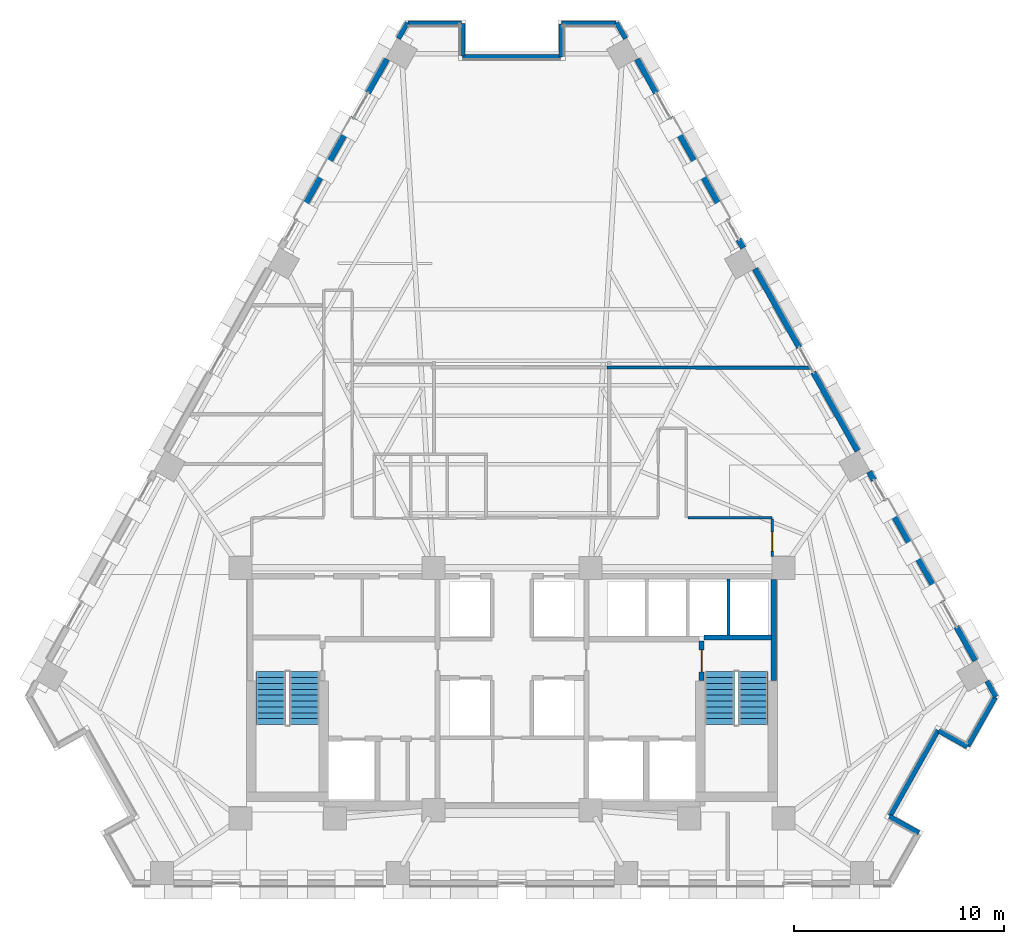
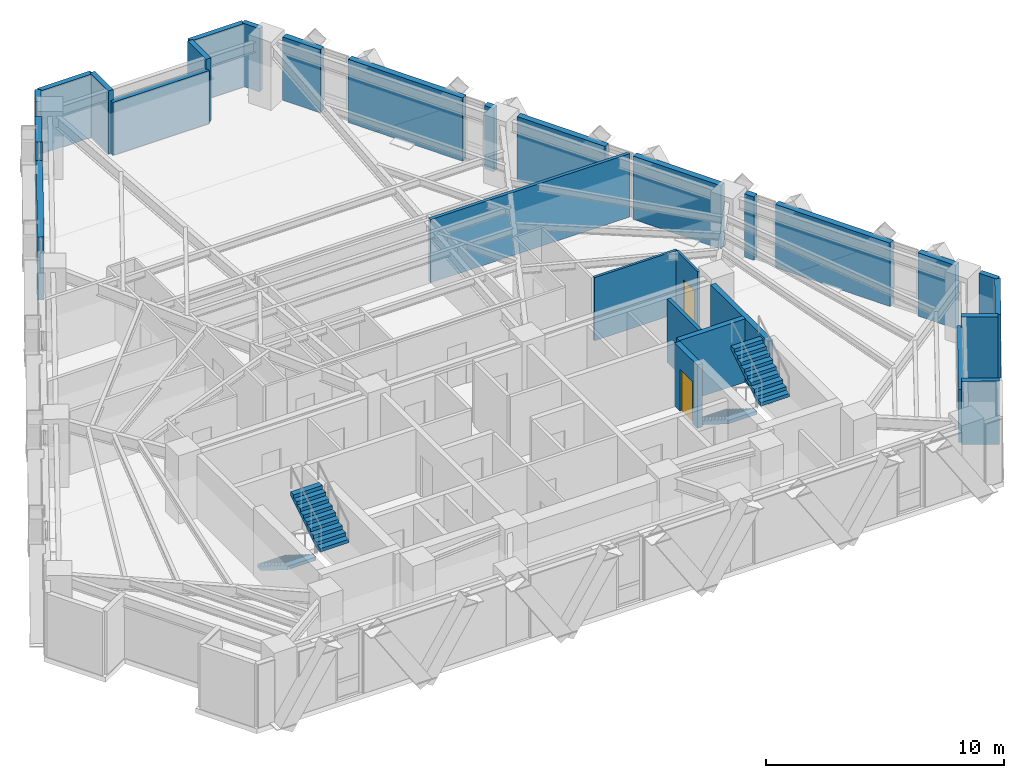
# One storey, part 9 of 13: 29 walls, 4 stair flights, 2 doors, 2 openings, 2 elements without a shape of their own.
"""IFC4 building model written with IfcOpenShell, lengths in metres."""

from ifc_helpers import new_model, si_unit, direction, frame, frame_2d, origin, place, context, subcontext, project, spatial, polyline, rectangle, outline, extrude, material, layer, layer_set, type_object, element, fill, aggregate, save


model = new_model("IFC4")

# Units and contexts
model_context = context("Model", 3, precision=1e-05, world=origin(), true_north=direction((0.0, 1.0)))
body_context = subcontext(model_context, "Body", "Model", "MODEL_VIEW")
ifc_project = project(units=[si_unit("LENGTHUNIT", "METRE"), si_unit("AREAUNIT", "SQUARE_METRE"), si_unit("VOLUMEUNIT", "CUBIC_METRE"), si_unit("PLANEANGLEUNIT", "RADIAN"), si_unit("MASSUNIT", "GRAM", prefix="KILO")], contexts=[model_context])

# Site, building, storey
site_placement = place(None, origin())
site = spatial("IfcSite", under=ifc_project, at=site_placement, CompositionType="ELEMENT")
building_placement = place(site_placement, origin())
building = spatial("IfcBuilding", under=site, at=building_placement, Name="Quenlor Broadcast Tower", CompositionType="ELEMENT")
storey_placement = place(building_placement, frame((0.0, 0.0, 119.5)))
storey = spatial("IfcBuildingStorey", under=building, at=storey_placement, Name="L32", CompositionType="ELEMENT", Elevation=119.5)

# Wall, opening, door
ifc_material_1 = material(Name="Concrete C40/50", Category="concrete")
ifc_layer_1 = layer(ifc_material_1, 0.25)
ifc_layer_set_1 = layer_set([ifc_layer_1], Name="Fire Rated Concrete C40/50 Core Wall 250")
wall_type_1 = type_object("IfcWallType", Name="Fire Rated Concrete C40/50 Core Wall 250", PredefinedType="PARTITIONING", material=ifc_layer_set_1)
wall_1_placement = place(storey_placement, frame((9.0400390625, -10.179931640625, 0.0), z_axis=(0.0, 0.0, 1.0), x_axis=(0.0, 1.0, 0.0)))
wall_1 = element("IfcWall", 1, at=wall_1_placement, inside=storey, type_object=wall_type_1, Name="L32 Interior Wall CW-ST2-DR", PredefinedType="PARTITIONING", context=body_context, shape_type="SweptSolid", body=[
    extrude(rectangle(XDim=1.89990234375, YDim=0.25, at=frame_2d((0.949951171875, 0.0))), origin(), (0.0, 0.0, 1.0), 3.25),
])
opening_1_placement = place(wall_1_placement, frame((0.419921875, 0.0, 0.0)))
opening_1 = element("IfcOpeningElement", 2, at=opening_1_placement, cuts=wall_1, Name="Opening FD-1", PredefinedType="OPENING", context=body_context, shape_type="SweptSolid", body=[
    extrude(rectangle(XDim=1.050048828125, YDim=2.14990234375, at=frame_2d((0.52490234375, 1.074951171875))), frame((0.0, 0.135009765625, 0.0), z_axis=(0.0, -1.0, 0.0), x_axis=(1.0, 0.0, 0.0)), (0.0, 0.0, 1.0), 0.27001953125),
])
ifc_material_2 = material(Name="Fire Rated Steel Door Leaf", Category="steel")
door_type_1 = type_object("IfcDoorType", Name="Fire Isolated Stair Door 1050x2150", OperationType="NOTDEFINED", PredefinedType="DOOR", material=ifc_material_2)
door_1_placement = place(opening_1_placement, origin())
door_1 = element("IfcDoor", 3, at=door_1_placement, inside=storey, type_object=door_type_1, Name="L32 Door DR-ST2", OperationType="SINGLE_SWING_RIGHT", OverallHeight=2.14990234375, OverallWidth=1.050048828125, PredefinedType="DOOR", context=body_context, shape_type="SweptSolid", body=[
    extrude(rectangle(XDim=1.050048828125, YDim=2.14990234375, at=frame_2d((0.52490234375, 1.074951171875))), frame((0.0, 0.02490234375, 0.0), z_axis=(0.0, -1.0, 0.0), x_axis=(1.0, 0.0, 0.0)), (0.0, 0.0, 1.0), 0.050048828125),
])
fill(opening_1, door_1)

# Walls
wall_2_placement = place(storey_placement, frame((9.159912109375, -8.1201171875, 0.0), z_axis=(0.0, 0.0, 1.0), x_axis=(1.0, 0.0, 0.0)))
element("IfcWall", 4, at=wall_2_placement, inside=storey, type_object=wall_type_1, Name="L32 Interior Wall CW-ST2-N", PredefinedType="PARTITIONING", context=body_context, shape_type="SweptSolid", body=[
    extrude(rectangle(XDim=3.219970703125, YDim=0.25, at=frame_2d((1.60986328125, 0.0))), origin(), (0.0, 0.0, 1.0), 3.25),
])
wall_3_placement = place(storey_placement, frame((12.47998046875, -10.179931640625, 0.0), z_axis=(0.0, 0.0, 1.0), x_axis=(0.0, 1.0, 0.0)))
element("IfcWall", 5, at=wall_3_placement, inside=storey, type_object=wall_type_1, Name="L32 Interior Wall CW-ST2-E2", PredefinedType="PARTITIONING", context=body_context, shape_type="SweptSolid", body=[
    extrude(rectangle(XDim=4.827880859375, YDim=0.25, at=frame_2d((2.4140625, 0.0))), origin(), (0.0, 0.0, 1.0), 3.25),
])
ifc_material_3 = material(Name="Gypsum Fireboard Partition", Category="other")
ifc_layer_2 = layer(ifc_material_3, 0.159912109375)
ifc_layer_set_2 = layer_set([ifc_layer_2], Name="Fire Rated Shaft and Corridor Partition 160")
wall_type_2 = type_object("IfcWallType", Name="Fire Rated Shaft and Corridor Partition 160", PredefinedType="PARTITIONING", material=ifc_layer_set_2)
wall_4_placement = place(storey_placement, frame((10.324951171875, -7.992919921875, 0.0), z_axis=(0.0, 0.0, 1.0), x_axis=(0.0, 1.0, 0.0)))
element("IfcWall", 6, at=wall_4_placement, inside=storey, type_object=wall_type_2, Name="L32 Interior Wall CW-PLH-D3", PredefinedType="PARTITIONING", context=body_context, shape_type="SweptSolid", body=[
    extrude(rectangle(XDim=2.65283203125, YDim=0.159912109375, at=frame_2d((1.326416015625, 0.0))), origin(), (0.0, 0.0, 1.0), 3.25),
])
wall_5_placement = place(storey_placement, frame((14.233154296875, 4.75, 0.0), z_axis=(0.0, 0.0, 1.0), x_axis=(-0.999999928632, 0.000377805177, 0.0)))
element("IfcWall", 7, at=wall_5_placement, inside=storey, type_object=wall_type_2, Name="L32 Interior Wall PW-DV-02", PredefinedType="PARTITIONING", context=body_context, shape_type="SweptSolid", body=[
    extrude(rectangle(XDim=9.693115234375, YDim=0.159912109375, at=frame_2d((4.8466796875, 0.0))), origin(), (0.0, 0.0, 1.0), 3.25),
])
ifc_material_4 = material(Name="Gypsum Plasterboard Partition", Category="other")
ifc_layer_3 = layer(ifc_material_4, 0.1201171875)
ifc_layer_set_3 = layer_set([ifc_layer_3], Name="Standard Office Partition 120")
wall_type_3 = type_object("IfcWallType", Name="Standard Office Partition 120", PredefinedType="PARTITIONING", material=ifc_layer_set_3)
wall_6_placement = place(storey_placement, frame((8.382080078125, -2.39990234375, 0.0), z_axis=(0.0, 0.0, 1.0), x_axis=(1.0, 0.0, 0.0)))
element("IfcWall", 8, at=wall_6_placement, inside=storey, type_object=wall_type_3, Name="L32 Interior Wall PW-CR-10", PredefinedType="PARTITIONING", context=body_context, shape_type="SweptSolid", body=[
    extrude(rectangle(XDim=4.02783203125, YDim=0.1201171875, at=frame_2d((2.013916015625, 0.0))), origin(), (0.0, 0.0, 1.0), 3.25),
])

# Wall, opening, door
wall_7_placement = place(storey_placement, frame((12.409912109375, -2.4619140625, 0.0), z_axis=(0.0, 0.0, 1.0), x_axis=(0.0, -1.0, 0.0)))
wall_7 = element("IfcWall", 9, at=wall_7_placement, inside=storey, type_object=wall_type_3, Name="L32 Interior Wall PW-CR-11", PredefinedType="PARTITIONING", context=body_context, shape_type="SweptSolid", body=[
    extrude(rectangle(XDim=1.7861328125, YDim=0.1201171875, at=frame_2d((0.89306640625, 0.0))), origin(), (0.0, 0.0, 1.0), 3.25),
])
opening_2_placement = place(wall_7_placement, frame((0.623046875, 0.0, 0.0)))
opening_2 = element("IfcOpeningElement", 10, at=opening_2_placement, cuts=wall_7, Name="Opening ID-1", PredefinedType="OPENING", context=body_context, shape_type="SweptSolid", body=[
    extrude(rectangle(XDim=0.919921875, YDim=2.1201171875, at=frame_2d((0.4599609375, 1.06005859375))), frame((0.0, 0.070068359375, 0.0), z_axis=(0.0, -1.0, 0.0), x_axis=(1.0, 0.0, 0.0)), (0.0, 0.0, 1.0), 0.14013671875),
])
ifc_material_5 = material(Name="Solid Core Timber Oak", Category="wood")
door_type_2 = type_object("IfcDoorType", Name="Single Leaf Timber Office Door 920x2120", OperationType="NOTDEFINED", PredefinedType="DOOR", material=ifc_material_5)
door_2_placement = place(opening_2_placement, origin())
door_2 = element("IfcDoor", 11, at=door_2_placement, inside=storey, type_object=door_type_2, Name="L32 Door DR-RM07", OperationType="SINGLE_SWING_LEFT", OverallHeight=2.1201171875, OverallWidth=0.919921875, PredefinedType="DOOR", context=body_context, shape_type="SweptSolid", body=[
    extrude(rectangle(XDim=0.919921875, YDim=2.1201171875, at=frame_2d((0.4599609375, 1.06005859375))), frame((0.0, 0.02490234375, 0.0), z_axis=(0.0, -1.0, 0.0), x_axis=(1.0, 0.0, 0.0)), (0.0, 0.0, 1.0), 0.050048828125),
])
fill(opening_2, door_2)

# Walls
ifc_material_6 = material(Name="Precast concrete C40/50", Category="concrete")
ifc_layer_4 = layer(ifc_material_6, 0.239990234375)
ifc_layer_set_4 = layer_set([ifc_layer_4], Name="Terrace Threshold Precast Concrete C40/50 Wall 240")
wall_type_4 = type_object("IfcWallType", Name="Terrace Threshold Precast Concrete C40/50 Wall 240", PredefinedType="STANDARD", material=ifc_layer_set_4)
for number, where, z_axis, x_axis, name in (
    (12, (4.992919921875, 21.197265625, 0.0), (0.0, 0.0, 1.0), (0.490355003566, -0.871522788272, 0.0), "L32 Exterior Wall L32-SHD-NES0"),
    (13, (22.65380859375, -10.199951171875, 0.0), (0.0, 0.0, 1.0), (0.490355003566, -0.871522788272, 0.0), "L32 Exterior Wall L32-SHD-NES1"),
    (14, (-5.417236328125, 20.443115234375, 0.0), (0.0, 0.0, 1.0), (0.490355003566, 0.871522788272, 0.0), "L32 Exterior Wall L32-SHD-NWS1"),
):
    element("IfcWall", number, at=place(storey_placement, frame(where, z_axis=z_axis, x_axis=x_axis)), inside=storey, type_object=wall_type_4, Name=name, PredefinedType="STANDARD", context=body_context, shape_type="SweptSolid", body=[
        extrude(rectangle(XDim=0.865234375, YDim=0.239990234375, at=frame_2d((0.4326171875, 0.0))), origin(), (0.0, 0.0, 1.0), 3.25),
    ])
wall_8_placement = place(storey_placement, frame((19.39892578125, -17.4423828125, 0.0), z_axis=(0.0, 0.0, 1.0), x_axis=(-0.871575537125, 0.490261239633, 0.0)))
element("IfcWall", 15, at=wall_8_placement, inside=storey, type_object=wall_type_4, Name="L32 Exterior Wall L32-CNR-01", PredefinedType="STANDARD", context=body_context, shape_type="SweptSolid", body=[
    extrude(rectangle(XDim=1.60009765625, YDim=0.239990234375, at=frame_2d((0.800048828125, 0.0))), origin(), (0.0, 0.0, 1.0), 3.25),
])
wall_9_placement = place(storey_placement, frame((18.024169921875, -16.623046875, 0.0), z_axis=(0.0, 0.0, 1.0), x_axis=(0.490273623647, 0.871568571001, 0.0)))
element("IfcWall", 16, at=wall_9_placement, inside=storey, type_object=wall_type_4, Name="L32 Exterior Wall L32-CNR-02", PredefinedType="STANDARD", context=body_context, shape_type="SweptSolid", body=[
    extrude(rectangle(XDim=4.679931640625, YDim=0.239990234375, at=frame_2d((2.33984375, 0.0))), origin(), (0.0, 0.0, 1.0), 2.7216796875),
])
wall_10_placement = place(storey_placement, frame((20.353515625, -12.563720703125, 0.0), z_axis=(0.0, 0.0, 1.0), x_axis=(0.871546278971, -0.490313250496, 0.0)))
element("IfcWall", 17, at=wall_10_placement, inside=storey, type_object=wall_type_4, Name="L32 Exterior Wall L32-CNR-03", PredefinedType="STANDARD", context=body_context, shape_type="SweptSolid", body=[
    extrude(rectangle(XDim=1.56005859375, YDim=0.239990234375, at=frame_2d((0.780029296875, 0.0))), origin(), (0.0, 0.0, 1.0), 3.25),
])
wall_11_placement = place(storey_placement, frame((21.732666015625, -13.293701171875, 0.0), z_axis=(0.0, 0.0, 1.0), x_axis=(0.490265590412, 0.871573089797, 0.0)))
element("IfcWall", 18, at=wall_11_placement, inside=storey, type_object=wall_type_4, Name="L32 Exterior Wall L32-CNR-04", PredefinedType="STANDARD", context=body_context, shape_type="SweptSolid", body=[
    extrude(rectangle(XDim=2.6640625, YDim=0.239990234375, at=frame_2d((1.33203125, 0.0))), origin(), (0.0, 0.0, 1.0), 3.25),
])
wall_12_placement = place(storey_placement, frame((4.95947265625, 21.16796875, 0.0), z_axis=(0.0, 0.0, 1.0), x_axis=(-1.0, 0.0, 0.0)))
element("IfcWall", 19, at=wall_12_placement, inside=storey, type_object=wall_type_4, Name="L32 Exterior Wall L32-CNR-06", PredefinedType="STANDARD", context=body_context, shape_type="SweptSolid", body=[
    extrude(rectangle(XDim=2.599365234375, YDim=0.239990234375, at=frame_2d((1.2998046875, 0.0))), origin(), (0.0, 0.0, 1.0), 3.25),
])
wall_13_placement = place(storey_placement, frame((2.360107421875, 21.1279296875, 0.0), z_axis=(0.0, 0.0, 1.0), x_axis=(0.0, -1.0, 0.0)))
element("IfcWall", 20, at=wall_13_placement, inside=storey, type_object=wall_type_4, Name="L32 Exterior Wall L32-CNR-07", PredefinedType="STANDARD", context=body_context, shape_type="SweptSolid", body=[
    extrude(rectangle(XDim=1.559814453125, YDim=0.239990234375, at=frame_2d((0.77978515625, 0.0))), origin(), (0.0, 0.0, 1.0), 3.25),
])
wall_14_placement = place(storey_placement, frame((2.320068359375, 19.568115234375, 0.0), z_axis=(0.0, 0.0, 1.0), x_axis=(-1.0, 0.0, 0.0)))
element("IfcWall", 21, at=wall_14_placement, inside=storey, type_object=wall_type_4, Name="L32 Exterior Wall L32-CNR-08", PredefinedType="STANDARD", context=body_context, shape_type="SweptSolid", body=[
    extrude(rectangle(XDim=4.68017578125, YDim=0.239990234375, at=frame_2d((2.340087890625, 0.0))), origin(), (0.0, 0.0, 1.0), 2.7216796875),
])
wall_15_placement = place(storey_placement, frame((-2.360107421875, 19.60791015625, 0.0), z_axis=(0.0, 0.0, 1.0), x_axis=(0.0, 1.0, 0.0)))
element("IfcWall", 22, at=wall_15_placement, inside=storey, type_object=wall_type_4, Name="L32 Exterior Wall L32-CNR-09", PredefinedType="STANDARD", context=body_context, shape_type="SweptSolid", body=[
    extrude(rectangle(XDim=1.56005859375, YDim=0.239990234375, at=frame_2d((0.780029296875, 0.0))), origin(), (0.0, 0.0, 1.0), 3.25),
])
wall_16_placement = place(storey_placement, frame((-2.39990234375, 21.16796875, 0.0), z_axis=(0.0, 0.0, 1.0), x_axis=(-1.0, 0.0, 0.0)))
element("IfcWall", 23, at=wall_16_placement, inside=storey, type_object=wall_type_4, Name="L32 Exterior Wall L32-CNR-10", PredefinedType="STANDARD", context=body_context, shape_type="SweptSolid", body=[
    extrude(rectangle(XDim=2.5595703125, YDim=0.239990234375, at=frame_2d((1.27978515625, 0.0))), origin(), (0.0, 0.0, 1.0), 3.25),
])
ifc_material_7 = material(Name="Precast concrete C40/50", Category="concrete")
ifc_layer_5 = layer(ifc_material_7, 0.280029296875)
ifc_layer_set_5 = layer_set([ifc_layer_5], Name="Terracotta Precast Concrete C40/50 Facade Wall 280")
wall_type_5 = type_object("IfcWallType", Name="Terracotta Precast Concrete C40/50 Facade Wall 280", PredefinedType="STANDARD", material=ifc_layer_set_5)
wall_17_placement = place(storey_placement, frame((5.97119140625, 19.458251953125, 0.0), z_axis=(0.0, 0.0, 1.0), x_axis=(0.490280102884, -0.871564926277, 0.0)))
element("IfcWall", 24, at=wall_17_placement, inside=storey, type_object=wall_type_5, Name="L32 Exterior Wall L32-NEA-SP1", PredefinedType="STANDARD", context=body_context, shape_type="SweptSolid", body=[
    extrude(rectangle(XDim=1.843505859375, YDim=0.280029296875, at=frame_2d((0.921875, 0.0))), origin(), (0.0, 0.0, 1.0), 3.25),
])
wall_18_placement = place(storey_placement, frame((7.543701171875, 16.662353515625, 0.0), z_axis=(0.0, 0.0, 1.0), x_axis=(0.490298514233, -0.871554569113, 0.0)))
element("IfcWall", 25, at=wall_18_placement, inside=storey, type_object=wall_type_5, Name="L32 Exterior Wall L32-NEA-SP2", PredefinedType="STANDARD", context=body_context, shape_type="SweptSolid", body=[
    extrude(rectangle(XDim=5.597412109375, YDim=0.280029296875, at=frame_2d((2.798828125, 0.0))), origin(), (0.0, 0.0, 1.0), 3.25),
])
for number, where, z_axis, x_axis, name in (
    (26, (10.806396484375, 10.862060546875, 0.0), (0.0, 0.0, 1.0), (0.490412424957, -0.871490478116, 0.0), "L32 Exterior Wall L32-NEA-SP3"),
    (27, (17.0390625, -0.218017578125, 0.0), (0.0, 0.0, 1.0), (0.490009165718, -0.871717280724, 0.0), "L32 Exterior Wall L32-NEC-SP1"),
):
    element("IfcWall", number, at=place(storey_placement, frame(where, z_axis=z_axis, x_axis=x_axis)), inside=storey, type_object=wall_type_5, Name=name, PredefinedType="STANDARD", context=body_context, shape_type="SweptSolid", body=[
        extrude(rectangle(XDim=0.4599609375, YDim=0.280029296875, at=frame_2d((0.22998046875, 0.0))), origin(), (0.0, 0.0, 1.0), 3.25),
    ])
wall_19_placement = place(storey_placement, frame((17.782958984375, -1.540771484375, 0.0), z_axis=(0.0, 0.0, 1.0), x_axis=(0.490265381388, -0.871573207374, 0.0)))
element("IfcWall", 28, at=wall_19_placement, inside=storey, type_object=wall_type_5, Name="L32 Exterior Wall L32-NEC-SP2", PredefinedType="STANDARD", context=body_context, shape_type="SweptSolid", body=[
    extrude(rectangle(XDim=5.59716796875, YDim=0.280029296875, at=frame_2d((2.798583984375, 0.0))), origin(), (0.0, 0.0, 1.0), 3.25),
])
wall_20_placement = place(storey_placement, frame((21.196044921875, -7.6083984375, 0.0), z_axis=(0.0, 0.0, 1.0), x_axis=(0.490280102884, -0.871564926277, 0.0)))
element("IfcWall", 29, at=wall_20_placement, inside=storey, type_object=wall_type_5, Name="L32 Exterior Wall L32-NEC-SP3", PredefinedType="STANDARD", context=body_context, shape_type="SweptSolid", body=[
    extrude(rectangle(XDim=1.843505859375, YDim=0.280029296875, at=frame_2d((0.921875, 0.0))), origin(), (0.0, 0.0, 1.0), 3.25),
])
for number, where, z_axis, x_axis, name in (
    (30, (11.59326171875, 9.463134765625, 0.0), (0.0, 0.0, 1.0), (0.490293592365, -0.871557337922, 0.0), "L32 Exterior Wall L32-NE-SP1"),
    (31, (14.369873046875, 4.527099609375, 0.0), (0.0, 0.0, 1.0), (0.490293592365, -0.871557337922, 0.0), "L32 Exterior Wall L32-NE-SP2"),
):
    element("IfcWall", number, at=place(storey_placement, frame(where, z_axis=z_axis, x_axis=x_axis)), inside=storey, type_object=wall_type_5, Name=name, PredefinedType="STANDARD", context=body_context, shape_type="SweptSolid", body=[
        extrude(rectangle(XDim=4.29931640625, YDim=0.280029296875, at=frame_2d((2.149658203125, 0.0))), origin(), (0.0, 0.0, 1.0), 3.25),
    ])
wall_21_placement = place(storey_placement, frame((-10.2880859375, 11.783935546875, 0.0), z_axis=(0.0, 0.0, 1.0), x_axis=(0.490298514233, 0.871554569113, 0.0)))
element("IfcWall", 32, at=wall_21_placement, inside=storey, type_object=wall_type_5, Name="L32 Exterior Wall L32-NWC-SP2", PredefinedType="STANDARD", context=body_context, shape_type="SweptSolid", body=[
    extrude(rectangle(XDim=5.597412109375, YDim=0.280029296875, at=frame_2d((2.798828125, 0.0))), origin(), (0.0, 0.0, 1.0), 3.25),
])
wall_22_placement = place(storey_placement, frame((-6.875, 17.8515625, 0.0), z_axis=(0.0, 0.0, 1.0), x_axis=(0.490280102884, 0.871564926277, 0.0)))
element("IfcWall", 33, at=wall_22_placement, inside=storey, type_object=wall_type_5, Name="L32 Exterior Wall L32-NWC-SP3", PredefinedType="STANDARD", context=body_context, shape_type="SweptSolid", body=[
    extrude(rectangle(XDim=1.843505859375, YDim=0.280029296875, at=frame_2d((0.921875, 0.0))), origin(), (0.0, 0.0, 1.0), 3.25),
])

# Stair, stair flights
ifc_material_8 = material(Name="Precast concrete C40/50", Category="concrete")
stair_type = type_object("IfcStairType", Name="Precast Concrete C40/50 Dogleg Stair H350", PredefinedType="HALF_TURN_STAIR", material=ifc_material_8)
stair_1_placement = place(storey_placement, origin())
stair_1 = element("IfcStair", 34, at=stair_1_placement, inside=storey, type_object=stair_type, Name="L32 West Core Fire-Isolated Exit Stair ST-1", PredefinedType="HALF_TURN_STAIR")
ifc_material_9 = material(Name="Precast concrete C40/50", Category="concrete")
ifc_layer_6 = layer(ifc_material_9, 0.159912109375)
ifc_layer_set_6 = layer_set([ifc_layer_6], Name="Precast Concrete C40/50 Stair Flight H350")
stair_flight_type = type_object("IfcStairFlightType", Name="Precast Concrete C40/50 Stair Flight H350", PredefinedType="STRAIGHT", material=ifc_layer_set_6)
stair_flight_1_placement = place(storey_placement, frame((-11.5, -9.75, 0.0), z_axis=(0.0, 0.0, 1.0), x_axis=(0.0, -1.0, 0.0)))
stair_flight_1 = element("IfcStairFlight", 35, at=stair_flight_1_placement, type_object=stair_flight_type, Name="ST-1 flight 1", NumberOfRisers=10, NumberOfTreads=9, PredefinedType="STRAIGHT", RiserHeight=0.175, TreadLength=0.28, context=body_context, shape_type="SweptSolid", body=[
    extrude(outline(polyline([(0.0, 0.0), (0.0, 0.175048828125), (0.280029296875, 0.175048828125), (0.280029296875, 0.35009765625), (0.56005859375, 0.35009765625), (0.56005859375, 0.52490234375), (0.840087890625, 0.52490234375), (0.840087890625, 0.699951171875), (1.1201171875, 0.699951171875), (1.1201171875, 0.875), (1.39990234375, 0.875), (1.39990234375, 1.050048828125), (1.679931640625, 1.050048828125), (1.679931640625, 1.22509765625), (1.9599609375, 1.22509765625), (1.9599609375, 1.39990234375), (2.239990234375, 1.39990234375), (2.239990234375, 1.574951171875), (2.52001953125, 1.574951171875), (2.52001953125, 1.75), (2.52001953125, 1.398193359375), (0.28271484375, 0.0), (0.0, 0.0)])), frame((0.0, 0.699951171875, 0.0), z_axis=(0.0, -1.0, 0.0), x_axis=(1.0, 0.0, 0.0)), (0.0, 0.0, 1.0), 1.39990234375),
])
stair_flight_2_placement = place(storey_placement, frame((-9.89990234375, -12.27001953125, 1.75), z_axis=(0.0, 0.0, 1.0), x_axis=(0.0, 1.0, 0.0)))
stair_flight_2 = element("IfcStairFlight", 36, at=stair_flight_2_placement, type_object=stair_flight_type, Name="ST-1 flight 2", NumberOfRisers=10, NumberOfTreads=9, PredefinedType="STRAIGHT", RiserHeight=0.175, TreadLength=0.28, context=body_context, shape_type="SweptSolid", body=[
    extrude(outline(polyline([(0.0, 0.0), (0.0, 0.175048828125), (0.280029296875, 0.175048828125), (0.280029296875, 0.35009765625), (0.56005859375, 0.35009765625), (0.56005859375, 0.52490234375), (0.840087890625, 0.52490234375), (0.840087890625, 0.699951171875), (1.1201171875, 0.699951171875), (1.1201171875, 0.875), (1.39990234375, 0.875), (1.39990234375, 1.050048828125), (1.679931640625, 1.050048828125), (1.679931640625, 1.22509765625), (1.9599609375, 1.22509765625), (1.9599609375, 1.39990234375), (2.239990234375, 1.39990234375), (2.239990234375, 1.574951171875), (2.52001953125, 1.574951171875), (2.52001953125, 1.75), (2.52001953125, 1.398193359375), (0.28271484375, 0.0), (0.0, 0.0)])), frame((0.0, 0.699951171875, 0.0), z_axis=(0.0, -1.0, 0.0), x_axis=(1.0, 0.0, 0.0)), (0.0, 0.0, 1.0), 1.39990234375),
])
aggregate(stair_1, [stair_flight_1, stair_flight_2])

stair_2_placement = place(storey_placement, origin())
stair_2 = element("IfcStair", 37, at=stair_2_placement, inside=storey, type_object=stair_type, Name="L32 East Core Fire-Isolated Exit Stair ST-2", PredefinedType="HALF_TURN_STAIR")
stair_flight_3_placement = place(storey_placement, frame((9.89990234375, -9.75, 0.0), z_axis=(0.0, 0.0, 1.0), x_axis=(0.0, -1.0, 0.0)))
stair_flight_3 = element("IfcStairFlight", 38, at=stair_flight_3_placement, type_object=stair_flight_type, Name="ST-2 flight 1", NumberOfRisers=10, NumberOfTreads=9, PredefinedType="STRAIGHT", RiserHeight=0.175, TreadLength=0.28, context=body_context, shape_type="SweptSolid", body=[
    extrude(outline(polyline([(0.0, 0.0), (0.0, 0.175048828125), (0.280029296875, 0.175048828125), (0.280029296875, 0.35009765625), (0.56005859375, 0.35009765625), (0.56005859375, 0.52490234375), (0.840087890625, 0.52490234375), (0.840087890625, 0.699951171875), (1.1201171875, 0.699951171875), (1.1201171875, 0.875), (1.39990234375, 0.875), (1.39990234375, 1.050048828125), (1.679931640625, 1.050048828125), (1.679931640625, 1.22509765625), (1.9599609375, 1.22509765625), (1.9599609375, 1.39990234375), (2.239990234375, 1.39990234375), (2.239990234375, 1.574951171875), (2.52001953125, 1.574951171875), (2.52001953125, 1.75), (2.52001953125, 1.398193359375), (0.28271484375, 0.0), (0.0, 0.0)])), frame((0.0, 0.699951171875, 0.0), z_axis=(0.0, -1.0, 0.0), x_axis=(1.0, 0.0, 0.0)), (0.0, 0.0, 1.0), 1.39990234375),
])
stair_flight_4_placement = place(storey_placement, frame((11.5, -12.27001953125, 1.75), z_axis=(0.0, 0.0, 1.0), x_axis=(0.0, 1.0, 0.0)))
stair_flight_4 = element("IfcStairFlight", 39, at=stair_flight_4_placement, type_object=stair_flight_type, Name="ST-2 flight 2", NumberOfRisers=10, NumberOfTreads=9, PredefinedType="STRAIGHT", RiserHeight=0.175, TreadLength=0.28, context=body_context, shape_type="SweptSolid", body=[
    extrude(outline(polyline([(0.0, 0.0), (0.0, 0.175048828125), (0.280029296875, 0.175048828125), (0.280029296875, 0.35009765625), (0.56005859375, 0.35009765625), (0.56005859375, 0.52490234375), (0.840087890625, 0.52490234375), (0.840087890625, 0.699951171875), (1.1201171875, 0.699951171875), (1.1201171875, 0.875), (1.39990234375, 0.875), (1.39990234375, 1.050048828125), (1.679931640625, 1.050048828125), (1.679931640625, 1.22509765625), (1.9599609375, 1.22509765625), (1.9599609375, 1.39990234375), (2.239990234375, 1.39990234375), (2.239990234375, 1.574951171875), (2.52001953125, 1.574951171875), (2.52001953125, 1.75), (2.52001953125, 1.398193359375), (0.28271484375, 0.0), (0.0, 0.0)])), frame((0.0, 0.699951171875, 0.0), z_axis=(0.0, -1.0, 0.0), x_axis=(1.0, 0.0, 0.0)), (0.0, 0.0, 1.0), 1.39990234375),
])
aggregate(stair_2, [stair_flight_3, stair_flight_4])

save(model, "model.ifc")
